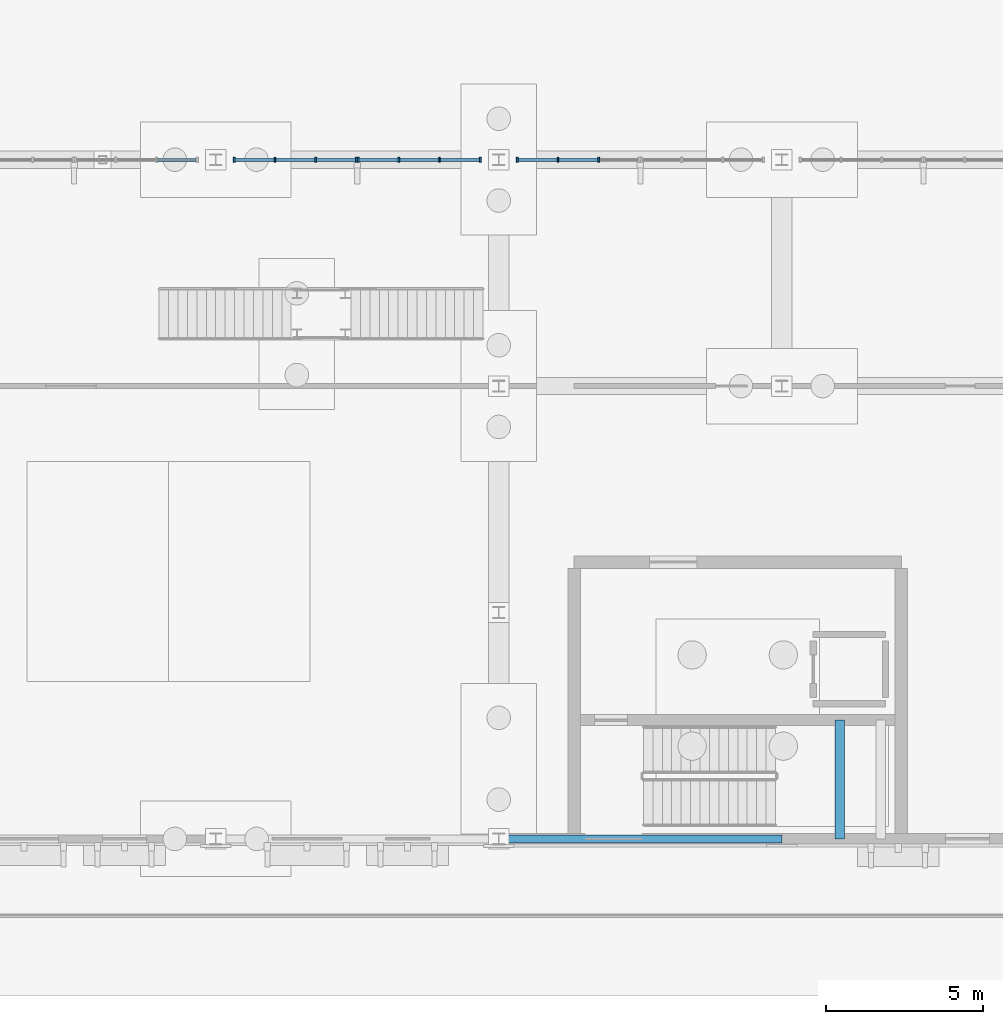
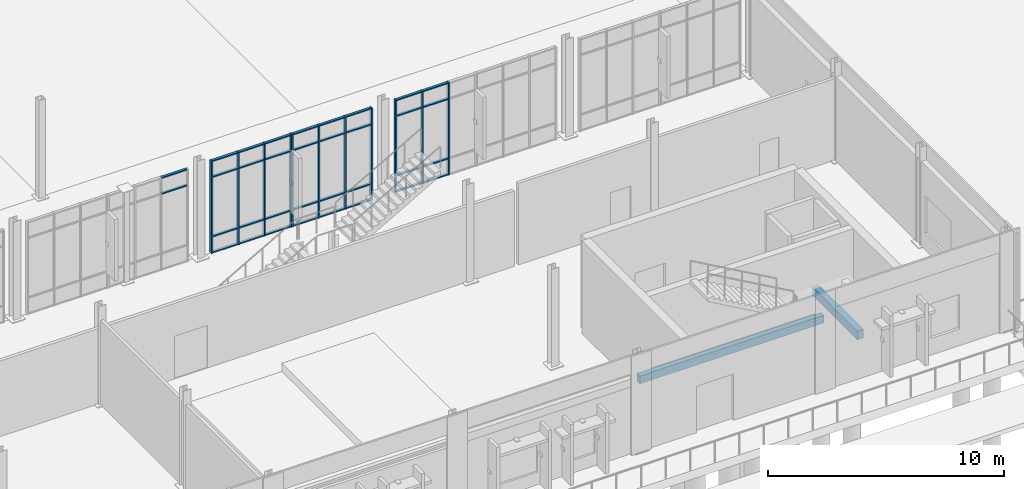
# One storey, part 39 of 94: 45 members, 2 beams, 4 elements without a shape of their own.
"""IFC4 building model written with IfcOpenShell, lengths in metres."""

from ifc_helpers import new_model, si_unit, direction, frame, origin, origin_2d, place, context, subcontext, project, spatial, rectangle, extrude, material, material_profile, profile_set, type_object, element, aggregate, save


model = new_model("IFC4")

# Units and contexts
model_context = context("Model", 3, precision=1e-05, world=origin(), true_north=direction((0.0, 1.0)))
body_context = subcontext(model_context, "Body", "Model", "MODEL_VIEW")
ifc_project = project(units=[si_unit("LENGTHUNIT", "METRE"), si_unit("AREAUNIT", "SQUARE_METRE"), si_unit("VOLUMEUNIT", "CUBIC_METRE"), si_unit("PLANEANGLEUNIT", "RADIAN"), si_unit("MASSUNIT", "GRAM", prefix="KILO")], contexts=[model_context])

# Site, building, storey
site_placement = place(None, origin())
site = spatial("IfcSite", under=ifc_project, at=site_placement, CompositionType="ELEMENT")
building_placement = place(site_placement, origin())
building = spatial("IfcBuilding", under=site, at=building_placement, Name="Vervanel Yard Central Library", CompositionType="ELEMENT")
storey_placement = place(building_placement, origin())
storey = spatial("IfcBuildingStorey", under=building, at=storey_placement, Name="L00", CompositionType="ELEMENT", Elevation=0.0)

# Curtain wall, members
ifc_material_1 = material(Name="Thermally broken anodized aluminium 6063-T6", Category="aluminium")
curtain_wall_type = type_object("IfcCurtainWallType", Name="Children's Courtyard Curtain Wall", PredefinedType="NOTDEFINED", material=ifc_material_1)
curtain_wall_1_placement = place(storey_placement, origin())
curtain_wall_1 = element("IfcCurtainWall", 1, at=curtain_wall_1_placement, inside=storey, type_object=curtain_wall_type, Name="L00 Children's Courtyard Curtain Wall CWR-L00-160", PredefinedType="NOTDEFINED")
ifc_material_profile_1 = material_profile(ifc_material_1, rectangle(XDim=0.06005859375, YDim=0.159912109375, at=origin_2d()), Name="ALU 60x160", Category="aluminium")
ifc_profile_set_1 = profile_set([ifc_material_profile_1], Name="Thermally broken anodized aluminium 6063-T6")
member_type_1 = type_object("IfcMemberType", Name="Bridge & Courtyard Mullion 60x160", PredefinedType="MULLION", material=ifc_profile_set_1)
member_1_placement = place(storey_placement, frame((81.590087890625, 21.60009765625, 0.0), z_axis=(0.0, 0.0, 1.0), x_axis=(1.0, 0.0, 0.0)))
member_1 = element("IfcMember", 2, at=member_1_placement, type_object=member_type_1, Name="CWR-L00-160 Mullion 1", PredefinedType="MULLION", context=body_context, shape_type="SweptSolid", body=[
    extrude(rectangle(XDim=0.06005859375, YDim=0.159912109375, at=origin_2d()), origin(), (0.0, 0.0, 1.0), 4.780029296875),
])
member_2_placement = place(storey_placement, frame((82.88330078125, 21.60009765625, 0.0), z_axis=(0.0, 0.0, 1.0), x_axis=(1.0, 0.0, 0.0)))
member_2 = element("IfcMember", 3, at=member_2_placement, type_object=member_type_1, Name="CWR-L00-160 Mullion 2", PredefinedType="MULLION", context=body_context, shape_type="SweptSolid", body=[
    extrude(rectangle(XDim=0.06005859375, YDim=0.159912109375, at=origin_2d()), origin(), (0.0, 0.0, 1.0), 4.780029296875),
])
member_3_placement = place(storey_placement, frame((84.1767578125, 21.60009765625, 0.0), z_axis=(0.0, 0.0, 1.0), x_axis=(1.0, 0.0, 0.0)))
member_3 = element("IfcMember", 4, at=member_3_placement, type_object=member_type_1, Name="CWR-L00-160 Mullion 3", PredefinedType="MULLION", context=body_context, shape_type="SweptSolid", body=[
    extrude(rectangle(XDim=0.06005859375, YDim=0.159912109375, at=origin_2d()), origin(), (0.0, 0.0, 1.0), 4.780029296875),
])
member_4_placement = place(storey_placement, frame((85.469970703125, 21.60009765625, 0.0), z_axis=(0.0, 0.0, 1.0), x_axis=(1.0, 0.0, 0.0)))
member_4 = element("IfcMember", 5, at=member_4_placement, type_object=member_type_1, Name="CWR-L00-160 Mullion 4", PredefinedType="MULLION", context=body_context, shape_type="SweptSolid", body=[
    extrude(rectangle(XDim=0.06005859375, YDim=0.159912109375, at=origin_2d()), origin(), (0.0, 0.0, 1.0), 4.780029296875),
])

curtain_wall_2_placement = place(storey_placement, origin())
curtain_wall_2 = element("IfcCurtainWall", 6, at=curtain_wall_2_placement, inside=storey, type_object=curtain_wall_type, Name="L00 Children's Courtyard Curtain Wall CWR-L00-161", PredefinedType="NOTDEFINED")
member_5_placement = place(storey_placement, frame((85.530029296875, 21.60009765625, 0.0), z_axis=(0.0, 0.0, 1.0), x_axis=(1.0, 0.0, 0.0)))
member_5 = element("IfcMember", 7, at=member_5_placement, type_object=member_type_1, Name="CWR-L00-161 Mullion 1", PredefinedType="MULLION", context=body_context, shape_type="SweptSolid", body=[
    extrude(rectangle(XDim=0.06005859375, YDim=0.159912109375, at=origin_2d()), origin(), (0.0, 0.0, 1.0), 4.780029296875),
])
member_6_placement = place(storey_placement, frame((86.8232421875, 21.60009765625, 0.0), z_axis=(0.0, 0.0, 1.0), x_axis=(1.0, 0.0, 0.0)))
member_6 = element("IfcMember", 8, at=member_6_placement, type_object=member_type_1, Name="CWR-L00-161 Mullion 2", PredefinedType="MULLION", context=body_context, shape_type="SweptSolid", body=[
    extrude(rectangle(XDim=0.06005859375, YDim=0.159912109375, at=origin_2d()), origin(), (0.0, 0.0, 1.0), 4.780029296875),
])
member_7_placement = place(storey_placement, frame((88.11669921875, 21.60009765625, 0.0), z_axis=(0.0, 0.0, 1.0), x_axis=(1.0, 0.0, 0.0)))
member_7 = element("IfcMember", 9, at=member_7_placement, type_object=member_type_1, Name="CWR-L00-161 Mullion 3", PredefinedType="MULLION", context=body_context, shape_type="SweptSolid", body=[
    extrude(rectangle(XDim=0.06005859375, YDim=0.159912109375, at=origin_2d()), origin(), (0.0, 0.0, 1.0), 4.780029296875),
])
member_8_placement = place(storey_placement, frame((89.409912109375, 21.60009765625, 0.0), z_axis=(0.0, 0.0, 1.0), x_axis=(1.0, 0.0, 0.0)))
member_8 = element("IfcMember", 10, at=member_8_placement, type_object=member_type_1, Name="CWR-L00-161 Mullion 4", PredefinedType="MULLION", context=body_context, shape_type="SweptSolid", body=[
    extrude(rectangle(XDim=0.06005859375, YDim=0.159912109375, at=origin_2d()), origin(), (0.0, 0.0, 1.0), 4.780029296875),
])

curtain_wall_3_placement = place(storey_placement, origin())
curtain_wall_3 = element("IfcCurtainWall", 11, at=curtain_wall_3_placement, inside=storey, type_object=curtain_wall_type, Name="L00 Children's Courtyard Curtain Wall CWR-L00-162", PredefinedType="NOTDEFINED")
member_9_placement = place(storey_placement, frame((90.590087890625, 21.60009765625, 0.0), z_axis=(0.0, 0.0, 1.0), x_axis=(1.0, 0.0, 0.0)))
member_9 = element("IfcMember", 12, at=member_9_placement, type_object=member_type_1, Name="CWR-L00-162 Mullion 1", PredefinedType="MULLION", context=body_context, shape_type="SweptSolid", body=[
    extrude(rectangle(XDim=0.06005859375, YDim=0.159912109375, at=origin_2d()), origin(), (0.0, 0.0, 1.0), 4.780029296875),
])
member_10_placement = place(storey_placement, frame((91.88330078125, 21.60009765625, 0.0), z_axis=(0.0, 0.0, 1.0), x_axis=(1.0, 0.0, 0.0)))
member_10 = element("IfcMember", 13, at=member_10_placement, type_object=member_type_1, Name="CWR-L00-162 Mullion 2", PredefinedType="MULLION", context=body_context, shape_type="SweptSolid", body=[
    extrude(rectangle(XDim=0.06005859375, YDim=0.159912109375, at=origin_2d()), origin(), (0.0, 0.0, 1.0), 4.780029296875),
])
member_11_placement = place(storey_placement, frame((93.1767578125, 21.60009765625, 0.0), z_axis=(0.0, 0.0, 1.0), x_axis=(1.0, 0.0, 0.0)))
member_11 = element("IfcMember", 14, at=member_11_placement, type_object=member_type_1, Name="CWR-L00-162 Mullion 3", PredefinedType="MULLION", context=body_context, shape_type="SweptSolid", body=[
    extrude(rectangle(XDim=0.06005859375, YDim=0.159912109375, at=origin_2d()), origin(), (0.0, 0.0, 1.0), 4.780029296875),
])

curtain_wall_4_placement = place(storey_placement, origin())
curtain_wall_4 = element("IfcCurtainWall", 15, at=curtain_wall_4_placement, inside=storey, type_object=curtain_wall_type, Name="L00 Children's Courtyard Curtain Wall CWR-L00-159", PredefinedType="NOTDEFINED")
ifc_material_profile_2 = material_profile(ifc_material_1, rectangle(XDim=0.06005859375, YDim=0.1201171875, at=origin_2d()), Name="ALU 60x120", Category="aluminium")
ifc_profile_set_2 = profile_set([ifc_material_profile_2], Name="Thermally broken anodized aluminium 6063-T6")
member_type_2 = type_object("IfcMemberType", Name="Bridge & Courtyard Transom 60x120", PredefinedType="NOTDEFINED", material=ifc_profile_set_2)
member_12_placement = place(storey_placement, frame((79.146728515625, 21.60009765625, 3.929931640625), z_axis=(1.0, 0.0, 0.0), x_axis=(0.0, 0.0, 1.0)))
member_12 = element("IfcMember", 16, at=member_12_placement, type_object=member_type_2, Name="CWR-L00-159 Transom B3-T3", ObjectType="TRANSOM", PredefinedType="USERDEFINED", context=body_context, shape_type="SweptSolid", body=[
    extrude(rectangle(XDim=0.06005859375, YDim=0.1201171875, at=origin_2d()), origin(), (0.0, 0.0, 1.0), 1.233154296875),
])
member_13_placement = place(storey_placement, frame((79.146728515625, 21.60009765625, 4.75), z_axis=(1.0, 0.0, 0.0), x_axis=(0.0, 0.0, 1.0)))
member_13 = element("IfcMember", 17, at=member_13_placement, type_object=member_type_2, Name="CWR-L00-159 Transom B3-T4", ObjectType="TRANSOM", PredefinedType="USERDEFINED", context=body_context, shape_type="SweptSolid", body=[
    extrude(rectangle(XDim=0.06005859375, YDim=0.1201171875, at=origin_2d()), origin(), (0.0, 0.0, 1.0), 1.233154296875),
])
aggregate(curtain_wall_4, [member_12, member_13])

# Member
member_14_placement = place(storey_placement, frame((81.6201171875, 21.60009765625, 0.030029296875), z_axis=(1.0, 0.0, 0.0), x_axis=(0.0, 0.0, 1.0)))
member_14 = element("IfcMember", 18, at=member_14_placement, type_object=member_type_2, Name="CWR-L00-160 Transom B1-T1", ObjectType="TRANSOM", PredefinedType="USERDEFINED", context=body_context, shape_type="SweptSolid", body=[
    extrude(rectangle(XDim=0.06005859375, YDim=0.1201171875, at=origin_2d()), origin(), (0.0, 0.0, 1.0), 1.233154296875),
])

member_15_placement = place(storey_placement, frame((81.6201171875, 21.60009765625, 0.85009765625), z_axis=(1.0, 0.0, 0.0), x_axis=(0.0, 0.0, 1.0)))
member_15 = element("IfcMember", 19, at=member_15_placement, type_object=member_type_2, Name="CWR-L00-160 Transom B1-T2", ObjectType="TRANSOM", PredefinedType="USERDEFINED", context=body_context, shape_type="SweptSolid", body=[
    extrude(rectangle(XDim=0.06005859375, YDim=0.1201171875, at=origin_2d()), origin(), (0.0, 0.0, 1.0), 1.233154296875),
])

member_16_placement = place(storey_placement, frame((81.6201171875, 21.60009765625, 3.929931640625), z_axis=(1.0, 0.0, 0.0), x_axis=(0.0, 0.0, 1.0)))
member_16 = element("IfcMember", 20, at=member_16_placement, type_object=member_type_2, Name="CWR-L00-160 Transom B1-T3", ObjectType="TRANSOM", PredefinedType="USERDEFINED", context=body_context, shape_type="SweptSolid", body=[
    extrude(rectangle(XDim=0.06005859375, YDim=0.1201171875, at=origin_2d()), origin(), (0.0, 0.0, 1.0), 1.233154296875),
])

member_17_placement = place(storey_placement, frame((81.6201171875, 21.60009765625, 4.75), z_axis=(1.0, 0.0, 0.0), x_axis=(0.0, 0.0, 1.0)))
member_17 = element("IfcMember", 21, at=member_17_placement, type_object=member_type_2, Name="CWR-L00-160 Transom B1-T4", ObjectType="TRANSOM", PredefinedType="USERDEFINED", context=body_context, shape_type="SweptSolid", body=[
    extrude(rectangle(XDim=0.06005859375, YDim=0.1201171875, at=origin_2d()), origin(), (0.0, 0.0, 1.0), 1.233154296875),
])

member_18_placement = place(storey_placement, frame((82.913330078125, 21.60009765625, 0.030029296875), z_axis=(1.0, 0.0, 0.0), x_axis=(0.0, 0.0, 1.0)))
member_18 = element("IfcMember", 22, at=member_18_placement, type_object=member_type_2, Name="CWR-L00-160 Transom B2-T1", ObjectType="TRANSOM", PredefinedType="USERDEFINED", context=body_context, shape_type="SweptSolid", body=[
    extrude(rectangle(XDim=0.06005859375, YDim=0.1201171875, at=origin_2d()), origin(), (0.0, 0.0, 1.0), 1.2333984375),
])

member_19_placement = place(storey_placement, frame((82.913330078125, 21.60009765625, 0.85009765625), z_axis=(1.0, 0.0, 0.0), x_axis=(0.0, 0.0, 1.0)))
member_19 = element("IfcMember", 23, at=member_19_placement, type_object=member_type_2, Name="CWR-L00-160 Transom B2-T2", ObjectType="TRANSOM", PredefinedType="USERDEFINED", context=body_context, shape_type="SweptSolid", body=[
    extrude(rectangle(XDim=0.06005859375, YDim=0.1201171875, at=origin_2d()), origin(), (0.0, 0.0, 1.0), 1.2333984375),
])

member_20_placement = place(storey_placement, frame((82.913330078125, 21.60009765625, 3.929931640625), z_axis=(1.0, 0.0, 0.0), x_axis=(0.0, 0.0, 1.0)))
member_20 = element("IfcMember", 24, at=member_20_placement, type_object=member_type_2, Name="CWR-L00-160 Transom B2-T3", ObjectType="TRANSOM", PredefinedType="USERDEFINED", context=body_context, shape_type="SweptSolid", body=[
    extrude(rectangle(XDim=0.06005859375, YDim=0.1201171875, at=origin_2d()), origin(), (0.0, 0.0, 1.0), 1.2333984375),
])

member_21_placement = place(storey_placement, frame((82.913330078125, 21.60009765625, 4.75), z_axis=(1.0, 0.0, 0.0), x_axis=(0.0, 0.0, 1.0)))
member_21 = element("IfcMember", 25, at=member_21_placement, type_object=member_type_2, Name="CWR-L00-160 Transom B2-T4", ObjectType="TRANSOM", PredefinedType="USERDEFINED", context=body_context, shape_type="SweptSolid", body=[
    extrude(rectangle(XDim=0.06005859375, YDim=0.1201171875, at=origin_2d()), origin(), (0.0, 0.0, 1.0), 1.2333984375),
])

member_22_placement = place(storey_placement, frame((84.206787109375, 21.60009765625, 0.030029296875), z_axis=(1.0, 0.0, 0.0), x_axis=(0.0, 0.0, 1.0)))
member_22 = element("IfcMember", 26, at=member_22_placement, type_object=member_type_2, Name="CWR-L00-160 Transom B3-T1", ObjectType="TRANSOM", PredefinedType="USERDEFINED", context=body_context, shape_type="SweptSolid", body=[
    extrude(rectangle(XDim=0.06005859375, YDim=0.1201171875, at=origin_2d()), origin(), (0.0, 0.0, 1.0), 1.233154296875),
])

member_23_placement = place(storey_placement, frame((84.206787109375, 21.60009765625, 0.85009765625), z_axis=(1.0, 0.0, 0.0), x_axis=(0.0, 0.0, 1.0)))
member_23 = element("IfcMember", 27, at=member_23_placement, type_object=member_type_2, Name="CWR-L00-160 Transom B3-T2", ObjectType="TRANSOM", PredefinedType="USERDEFINED", context=body_context, shape_type="SweptSolid", body=[
    extrude(rectangle(XDim=0.06005859375, YDim=0.1201171875, at=origin_2d()), origin(), (0.0, 0.0, 1.0), 1.233154296875),
])

member_24_placement = place(storey_placement, frame((84.206787109375, 21.60009765625, 3.929931640625), z_axis=(1.0, 0.0, 0.0), x_axis=(0.0, 0.0, 1.0)))
member_24 = element("IfcMember", 28, at=member_24_placement, type_object=member_type_2, Name="CWR-L00-160 Transom B3-T3", ObjectType="TRANSOM", PredefinedType="USERDEFINED", context=body_context, shape_type="SweptSolid", body=[
    extrude(rectangle(XDim=0.06005859375, YDim=0.1201171875, at=origin_2d()), origin(), (0.0, 0.0, 1.0), 1.233154296875),
])

member_25_placement = place(storey_placement, frame((84.206787109375, 21.60009765625, 4.75), z_axis=(1.0, 0.0, 0.0), x_axis=(0.0, 0.0, 1.0)))
member_25 = element("IfcMember", 29, at=member_25_placement, type_object=member_type_2, Name="CWR-L00-160 Transom B3-T4", ObjectType="TRANSOM", PredefinedType="USERDEFINED", context=body_context, shape_type="SweptSolid", body=[
    extrude(rectangle(XDim=0.06005859375, YDim=0.1201171875, at=origin_2d()), origin(), (0.0, 0.0, 1.0), 1.233154296875),
])

aggregate(curtain_wall_1, [member_1, member_2, member_3, member_4, member_14, member_15, member_16, member_17, member_18, member_19, member_20, member_21, member_22, member_23, member_24, member_25])

member_26_placement = place(storey_placement, frame((85.56005859375, 21.60009765625, 0.030029296875), z_axis=(1.0, 0.0, 0.0), x_axis=(0.0, 0.0, 1.0)))
member_26 = element("IfcMember", 30, at=member_26_placement, type_object=member_type_2, Name="CWR-L00-161 Transom B1-T1", ObjectType="TRANSOM", PredefinedType="USERDEFINED", context=body_context, shape_type="SweptSolid", body=[
    extrude(rectangle(XDim=0.06005859375, YDim=0.1201171875, at=origin_2d()), origin(), (0.0, 0.0, 1.0), 1.233154296875),
])

member_27_placement = place(storey_placement, frame((85.56005859375, 21.60009765625, 0.85009765625), z_axis=(1.0, 0.0, 0.0), x_axis=(0.0, 0.0, 1.0)))
member_27 = element("IfcMember", 31, at=member_27_placement, type_object=member_type_2, Name="CWR-L00-161 Transom B1-T2", ObjectType="TRANSOM", PredefinedType="USERDEFINED", context=body_context, shape_type="SweptSolid", body=[
    extrude(rectangle(XDim=0.06005859375, YDim=0.1201171875, at=origin_2d()), origin(), (0.0, 0.0, 1.0), 1.233154296875),
])

member_28_placement = place(storey_placement, frame((85.56005859375, 21.60009765625, 3.929931640625), z_axis=(1.0, 0.0, 0.0), x_axis=(0.0, 0.0, 1.0)))
member_28 = element("IfcMember", 32, at=member_28_placement, type_object=member_type_2, Name="CWR-L00-161 Transom B1-T3", ObjectType="TRANSOM", PredefinedType="USERDEFINED", context=body_context, shape_type="SweptSolid", body=[
    extrude(rectangle(XDim=0.06005859375, YDim=0.1201171875, at=origin_2d()), origin(), (0.0, 0.0, 1.0), 1.233154296875),
])

member_29_placement = place(storey_placement, frame((85.56005859375, 21.60009765625, 4.75), z_axis=(1.0, 0.0, 0.0), x_axis=(0.0, 0.0, 1.0)))
member_29 = element("IfcMember", 33, at=member_29_placement, type_object=member_type_2, Name="CWR-L00-161 Transom B1-T4", ObjectType="TRANSOM", PredefinedType="USERDEFINED", context=body_context, shape_type="SweptSolid", body=[
    extrude(rectangle(XDim=0.06005859375, YDim=0.1201171875, at=origin_2d()), origin(), (0.0, 0.0, 1.0), 1.233154296875),
])

member_30_placement = place(storey_placement, frame((86.853271484375, 21.60009765625, 0.030029296875), z_axis=(1.0, 0.0, 0.0), x_axis=(0.0, 0.0, 1.0)))
member_30 = element("IfcMember", 34, at=member_30_placement, type_object=member_type_2, Name="CWR-L00-161 Transom B2-T1", ObjectType="TRANSOM", PredefinedType="USERDEFINED", context=body_context, shape_type="SweptSolid", body=[
    extrude(rectangle(XDim=0.06005859375, YDim=0.1201171875, at=origin_2d()), origin(), (0.0, 0.0, 1.0), 1.2333984375),
])

member_31_placement = place(storey_placement, frame((86.853271484375, 21.60009765625, 0.85009765625), z_axis=(1.0, 0.0, 0.0), x_axis=(0.0, 0.0, 1.0)))
member_31 = element("IfcMember", 35, at=member_31_placement, type_object=member_type_2, Name="CWR-L00-161 Transom B2-T2", ObjectType="TRANSOM", PredefinedType="USERDEFINED", context=body_context, shape_type="SweptSolid", body=[
    extrude(rectangle(XDim=0.06005859375, YDim=0.1201171875, at=origin_2d()), origin(), (0.0, 0.0, 1.0), 1.2333984375),
])

member_32_placement = place(storey_placement, frame((86.853271484375, 21.60009765625, 3.929931640625), z_axis=(1.0, 0.0, 0.0), x_axis=(0.0, 0.0, 1.0)))
member_32 = element("IfcMember", 36, at=member_32_placement, type_object=member_type_2, Name="CWR-L00-161 Transom B2-T3", ObjectType="TRANSOM", PredefinedType="USERDEFINED", context=body_context, shape_type="SweptSolid", body=[
    extrude(rectangle(XDim=0.06005859375, YDim=0.1201171875, at=origin_2d()), origin(), (0.0, 0.0, 1.0), 1.2333984375),
])

member_33_placement = place(storey_placement, frame((86.853271484375, 21.60009765625, 4.75), z_axis=(1.0, 0.0, 0.0), x_axis=(0.0, 0.0, 1.0)))
member_33 = element("IfcMember", 37, at=member_33_placement, type_object=member_type_2, Name="CWR-L00-161 Transom B2-T4", ObjectType="TRANSOM", PredefinedType="USERDEFINED", context=body_context, shape_type="SweptSolid", body=[
    extrude(rectangle(XDim=0.06005859375, YDim=0.1201171875, at=origin_2d()), origin(), (0.0, 0.0, 1.0), 1.2333984375),
])

member_34_placement = place(storey_placement, frame((88.146728515625, 21.60009765625, 0.030029296875), z_axis=(1.0, 0.0, 0.0), x_axis=(0.0, 0.0, 1.0)))
member_34 = element("IfcMember", 38, at=member_34_placement, type_object=member_type_2, Name="CWR-L00-161 Transom B3-T1", ObjectType="TRANSOM", PredefinedType="USERDEFINED", context=body_context, shape_type="SweptSolid", body=[
    extrude(rectangle(XDim=0.06005859375, YDim=0.1201171875, at=origin_2d()), origin(), (0.0, 0.0, 1.0), 1.233154296875),
])

member_35_placement = place(storey_placement, frame((88.146728515625, 21.60009765625, 0.85009765625), z_axis=(1.0, 0.0, 0.0), x_axis=(0.0, 0.0, 1.0)))
member_35 = element("IfcMember", 39, at=member_35_placement, type_object=member_type_2, Name="CWR-L00-161 Transom B3-T2", ObjectType="TRANSOM", PredefinedType="USERDEFINED", context=body_context, shape_type="SweptSolid", body=[
    extrude(rectangle(XDim=0.06005859375, YDim=0.1201171875, at=origin_2d()), origin(), (0.0, 0.0, 1.0), 1.233154296875),
])

member_36_placement = place(storey_placement, frame((88.146728515625, 21.60009765625, 3.929931640625), z_axis=(1.0, 0.0, 0.0), x_axis=(0.0, 0.0, 1.0)))
member_36 = element("IfcMember", 40, at=member_36_placement, type_object=member_type_2, Name="CWR-L00-161 Transom B3-T3", ObjectType="TRANSOM", PredefinedType="USERDEFINED", context=body_context, shape_type="SweptSolid", body=[
    extrude(rectangle(XDim=0.06005859375, YDim=0.1201171875, at=origin_2d()), origin(), (0.0, 0.0, 1.0), 1.233154296875),
])

member_37_placement = place(storey_placement, frame((88.146728515625, 21.60009765625, 4.75), z_axis=(1.0, 0.0, 0.0), x_axis=(0.0, 0.0, 1.0)))
member_37 = element("IfcMember", 41, at=member_37_placement, type_object=member_type_2, Name="CWR-L00-161 Transom B3-T4", ObjectType="TRANSOM", PredefinedType="USERDEFINED", context=body_context, shape_type="SweptSolid", body=[
    extrude(rectangle(XDim=0.06005859375, YDim=0.1201171875, at=origin_2d()), origin(), (0.0, 0.0, 1.0), 1.233154296875),
])

aggregate(curtain_wall_2, [member_5, member_6, member_7, member_8, member_26, member_27, member_28, member_29, member_30, member_31, member_32, member_33, member_34, member_35, member_36, member_37])

member_38_placement = place(storey_placement, frame((90.6201171875, 21.60009765625, 0.030029296875), z_axis=(1.0, 0.0, 0.0), x_axis=(0.0, 0.0, 1.0)))
member_38 = element("IfcMember", 42, at=member_38_placement, type_object=member_type_2, Name="CWR-L00-162 Transom B1-T1", ObjectType="TRANSOM", PredefinedType="USERDEFINED", context=body_context, shape_type="SweptSolid", body=[
    extrude(rectangle(XDim=0.06005859375, YDim=0.1201171875, at=origin_2d()), origin(), (0.0, 0.0, 1.0), 1.233154296875),
])

member_39_placement = place(storey_placement, frame((90.6201171875, 21.60009765625, 0.85009765625), z_axis=(1.0, 0.0, 0.0), x_axis=(0.0, 0.0, 1.0)))
member_39 = element("IfcMember", 43, at=member_39_placement, type_object=member_type_2, Name="CWR-L00-162 Transom B1-T2", ObjectType="TRANSOM", PredefinedType="USERDEFINED", context=body_context, shape_type="SweptSolid", body=[
    extrude(rectangle(XDim=0.06005859375, YDim=0.1201171875, at=origin_2d()), origin(), (0.0, 0.0, 1.0), 1.233154296875),
])

member_40_placement = place(storey_placement, frame((90.6201171875, 21.60009765625, 3.929931640625), z_axis=(1.0, 0.0, 0.0), x_axis=(0.0, 0.0, 1.0)))
member_40 = element("IfcMember", 44, at=member_40_placement, type_object=member_type_2, Name="CWR-L00-162 Transom B1-T3", ObjectType="TRANSOM", PredefinedType="USERDEFINED", context=body_context, shape_type="SweptSolid", body=[
    extrude(rectangle(XDim=0.06005859375, YDim=0.1201171875, at=origin_2d()), origin(), (0.0, 0.0, 1.0), 1.233154296875),
])

member_41_placement = place(storey_placement, frame((90.6201171875, 21.60009765625, 4.75), z_axis=(1.0, 0.0, 0.0), x_axis=(0.0, 0.0, 1.0)))
member_41 = element("IfcMember", 45, at=member_41_placement, type_object=member_type_2, Name="CWR-L00-162 Transom B1-T4", ObjectType="TRANSOM", PredefinedType="USERDEFINED", context=body_context, shape_type="SweptSolid", body=[
    extrude(rectangle(XDim=0.06005859375, YDim=0.1201171875, at=origin_2d()), origin(), (0.0, 0.0, 1.0), 1.233154296875),
])

member_42_placement = place(storey_placement, frame((91.913330078125, 21.60009765625, 0.030029296875), z_axis=(1.0, 0.0, 0.0), x_axis=(0.0, 0.0, 1.0)))
member_42 = element("IfcMember", 46, at=member_42_placement, type_object=member_type_2, Name="CWR-L00-162 Transom B2-T1", ObjectType="TRANSOM", PredefinedType="USERDEFINED", context=body_context, shape_type="SweptSolid", body=[
    extrude(rectangle(XDim=0.06005859375, YDim=0.1201171875, at=origin_2d()), origin(), (0.0, 0.0, 1.0), 1.2333984375),
])

member_43_placement = place(storey_placement, frame((91.913330078125, 21.60009765625, 0.85009765625), z_axis=(1.0, 0.0, 0.0), x_axis=(0.0, 0.0, 1.0)))
member_43 = element("IfcMember", 47, at=member_43_placement, type_object=member_type_2, Name="CWR-L00-162 Transom B2-T2", ObjectType="TRANSOM", PredefinedType="USERDEFINED", context=body_context, shape_type="SweptSolid", body=[
    extrude(rectangle(XDim=0.06005859375, YDim=0.1201171875, at=origin_2d()), origin(), (0.0, 0.0, 1.0), 1.2333984375),
])

member_44_placement = place(storey_placement, frame((91.913330078125, 21.60009765625, 3.929931640625), z_axis=(1.0, 0.0, 0.0), x_axis=(0.0, 0.0, 1.0)))
member_44 = element("IfcMember", 48, at=member_44_placement, type_object=member_type_2, Name="CWR-L00-162 Transom B2-T3", ObjectType="TRANSOM", PredefinedType="USERDEFINED", context=body_context, shape_type="SweptSolid", body=[
    extrude(rectangle(XDim=0.06005859375, YDim=0.1201171875, at=origin_2d()), origin(), (0.0, 0.0, 1.0), 1.2333984375),
])

member_45_placement = place(storey_placement, frame((91.913330078125, 21.60009765625, 4.75), z_axis=(1.0, 0.0, 0.0), x_axis=(0.0, 0.0, 1.0)))
member_45 = element("IfcMember", 49, at=member_45_placement, type_object=member_type_2, Name="CWR-L00-162 Transom B2-T4", ObjectType="TRANSOM", PredefinedType="USERDEFINED", context=body_context, shape_type="SweptSolid", body=[
    extrude(rectangle(XDim=0.06005859375, YDim=0.1201171875, at=origin_2d()), origin(), (0.0, 0.0, 1.0), 1.2333984375),
])

aggregate(curtain_wall_3, [member_9, member_10, member_11, member_38, member_39, member_40, member_41, member_42, member_43, member_44, member_45])

# Beams
ifc_material_2 = material(Name="Concrete C40/50", Category="concrete")
ifc_material_profile_3 = material_profile(ifc_material_2, rectangle(XDim=0.300048828125, YDim=0.449951171875, at=origin_2d()), Name="RC 300x450", Category="concrete")
ifc_profile_set_3 = profile_set([ifc_material_profile_3], Name="Concrete C40/50")
beam_type_1 = type_object("IfcBeamType", Name="Concrete Opening Lintel 300x450", PredefinedType="LINTEL", material=ifc_profile_set_3)
beam_1_placement = place(storey_placement, frame((100.85009765625, 0.0, 2.125), z_axis=(0.0, 1.0, 0.0), x_axis=(-1.0, 0.0, 0.0)))
element("IfcBeam", 50, at=beam_1_placement, inside=storey, type_object=beam_type_1, Name="L00 CORE-F Stair Landing Beam 41", PredefinedType="LINTEL", context=body_context, shape_type="SweptSolid", body=[
    extrude(rectangle(XDim=0.300048828125, YDim=0.449951171875, at=origin_2d()), origin(), (0.0, 0.0, 1.0), 3.77490234375),
])
ifc_material_profile_4 = material_profile(ifc_material_2, rectangle(XDim=0.25, YDim=0.39990234375, at=origin_2d()), Name="RC 250x400", Category="concrete")
ifc_profile_set_4 = profile_set([ifc_material_profile_4], Name="Concrete C40/50")
beam_type_2 = type_object("IfcBeamType", Name="Concrete Shutter Lintel 250x400", PredefinedType="LINTEL", material=ifc_profile_set_4)
beam_2_placement = place(storey_placement, frame((90.0, 0.0, 3.64990234375), z_axis=(1.0, 0.0, 0.0), x_axis=(0.0, 1.0, 0.0)))
element("IfcBeam", 51, at=beam_2_placement, inside=storey, type_object=beam_type_2, Name="L00 Portal Opening Lintel 16", PredefinedType="LINTEL", context=body_context, shape_type="SweptSolid", body=[
    extrude(rectangle(XDim=0.25, YDim=0.39990234375, at=origin_2d()), origin(), (0.0, 0.0, 1.0), 9.0),
])

save(model, "model.ifc")
